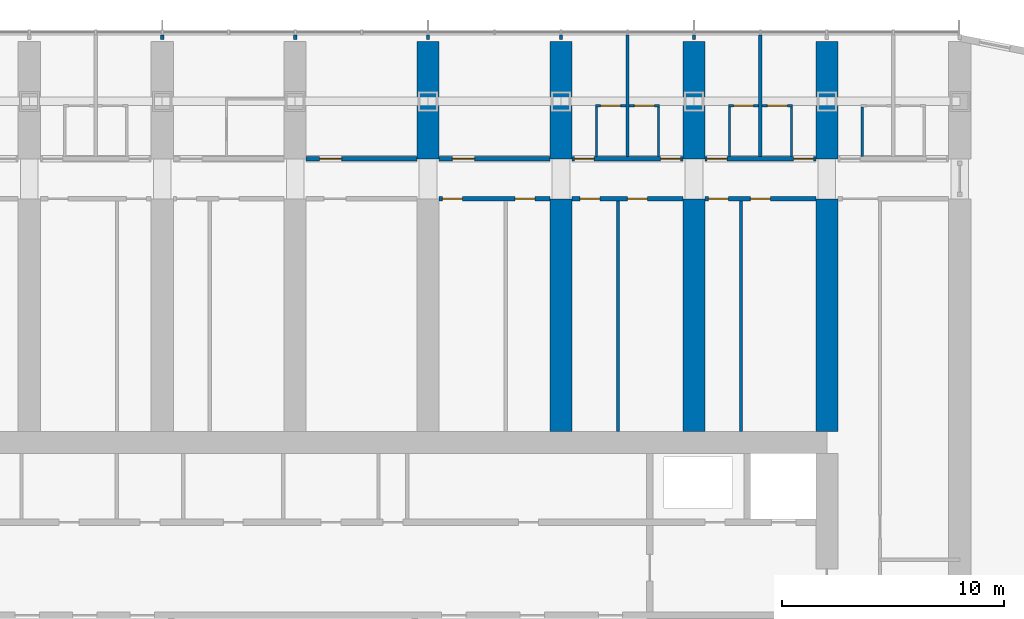
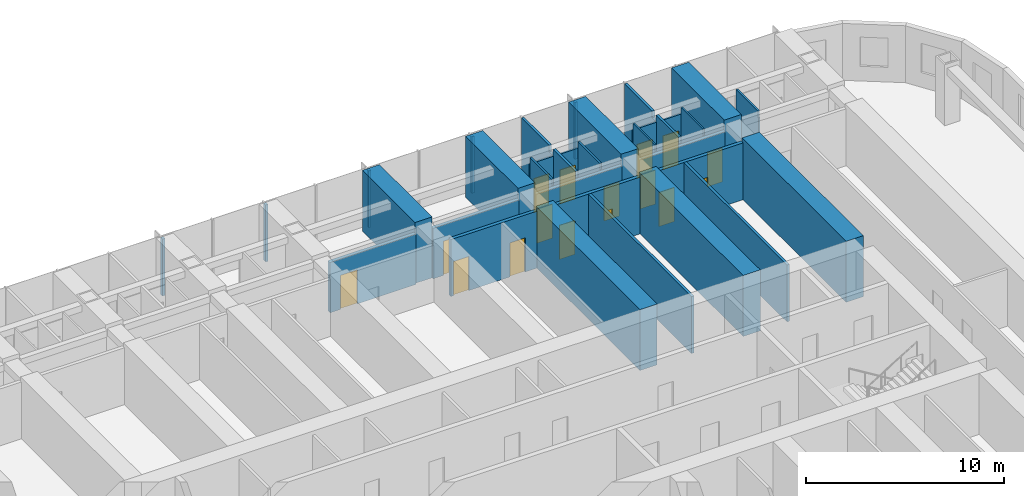
# One storey, part 19 of 28: 32 walls, 16 doors, 16 openings.
"""IFC4 building model written with IfcOpenShell, lengths in metres."""

from ifc_helpers import new_model, si_unit, direction, frame, frame_2d, origin, place, context, subcontext, project, spatial, polyline, rectangle, outline, extrude, material, layer, layer_set, type_object, element, fill, save


model = new_model("IFC4")

# Units and contexts
model_context = context("Model", 3, precision=1e-05, world=origin(), true_north=direction((0.0, 1.0)))
body_context = subcontext(model_context, "Body", "Model", "MODEL_VIEW")
ifc_project = project(units=[si_unit("LENGTHUNIT", "METRE"), si_unit("AREAUNIT", "SQUARE_METRE"), si_unit("VOLUMEUNIT", "CUBIC_METRE"), si_unit("PLANEANGLEUNIT", "RADIAN"), si_unit("MASSUNIT", "GRAM", prefix="KILO")], contexts=[model_context])

# Site, building, storey
site_placement = place(None, origin())
site = spatial("IfcSite", under=ifc_project, at=site_placement, CompositionType="ELEMENT")
building_placement = place(site_placement, origin())
building = spatial("IfcBuilding", under=site, at=building_placement, Name="Orbita Commons", CompositionType="ELEMENT")
storey_placement = place(building_placement, frame((0.0, 0.0, 38.949951171875)))
storey = spatial("IfcBuildingStorey", under=building, at=storey_placement, Name="L09", CompositionType="ELEMENT", Elevation=38.949951171875)

# Wall, opening, door
ifc_material_1 = material(Name="Concrete blockwork", Category="masonry")
ifc_layer_1 = layer(ifc_material_1, 0.199951171875)
ifc_layer_set_1 = layer_set([ifc_layer_1], Name="Concrete blockwork")
wall_type_1 = type_object("IfcWallType", Name="Corridor wall 200 blockwork", PredefinedType="SOLIDWALL", material=ifc_layer_set_1)
wall_1_placement = place(storey_placement, frame((42.5, 51.0, 0.0), z_axis=(0.0, 0.0, 1.0), x_axis=(1.0, 0.0, 0.0)))
wall_1 = element("IfcWall", 1, at=wall_1_placement, inside=storey, type_object=wall_type_1, Name="Corridor wall 200 blockwork L09", PredefinedType="SOLIDWALL", context=body_context, shape_type="SweptSolid", body=[
    extrude(outline(polyline([(0.0, 0.0), (5.0, 0.0), (5.0, 3.10009765625), (0.0, 3.10009765625), (0.0, 0.0)])), frame((0.0, 0.10009765625, 0.0), z_axis=(0.0, -1.0, 0.0), x_axis=(1.0, 0.0, 0.0)), (0.0, 0.0, 1.0), 0.199951171875),
])
opening_1_placement = place(wall_1_placement, frame((0.60009765625, 0.0, 0.0)))
opening_1 = element("IfcOpeningElement", 2, at=opening_1_placement, cuts=wall_1, Name="Opening D06", PredefinedType="OPENING", context=body_context, shape_type="SweptSolid", body=[
    extrude(rectangle(XDim=1.0, YDim=2.10009765625, at=frame_2d((0.5, 1.050048828125))), frame((0.0, 0.10986328125, 0.0), z_axis=(0.0, -1.0, 0.0), x_axis=(1.0, 0.0, 0.0)), (0.0, 0.0, 1.0), 0.219970703125),
])
ifc_material_2 = material(Name="Steel-faced fire door leaf", Category="steel")
door_type_1 = type_object("IfcDoorType", Name="Corridor door 20 min 1000x2100", OperationType="SINGLE_SWING_LEFT", PredefinedType="DOOR", material=ifc_material_2)
door_1_placement = place(opening_1_placement, origin())
door_1 = element("IfcDoor", 3, at=door_1_placement, inside=storey, type_object=door_type_1, Name="House common room L09-N10 door", OperationType="SINGLE_SWING_LEFT", OverallHeight=2.10009765625, OverallWidth=1.0, PredefinedType="DOOR", context=body_context, shape_type="SweptSolid", body=[
    extrude(rectangle(XDim=1.0, YDim=2.10009765625, at=frame_2d((0.5, 1.050048828125))), frame((0.0, 0.02490234375, 0.0), z_axis=(0.0, -1.0, 0.0), x_axis=(1.0, 0.0, 0.0)), (0.0, 0.0, 1.0), 0.050048828125),
])
fill(opening_1, door_1)

wall_2_placement = place(storey_placement, frame((48.5, 51.0, 0.0), z_axis=(0.0, 0.0, 1.0), x_axis=(1.0, 0.0, 0.0)))
wall_2 = element("IfcWall", 4, at=wall_2_placement, inside=storey, type_object=wall_type_1, Name="Corridor wall 200 blockwork L09", PredefinedType="SOLIDWALL", context=body_context, shape_type="SweptSolid", body=[
    extrude(outline(polyline([(0.0, 0.0), (5.0, 0.0), (5.0, 3.10009765625), (0.0, 3.10009765625), (0.0, 0.0)])), frame((0.0, 0.10009765625, 0.0), z_axis=(0.0, -1.0, 0.0), x_axis=(1.0, 0.0, 0.0)), (0.0, 0.0, 1.0), 0.199951171875),
])
opening_2_placement = place(wall_2_placement, frame((0.60009765625, 0.0, 0.0)))
opening_2 = element("IfcOpeningElement", 5, at=opening_2_placement, cuts=wall_2, Name="Opening D06", PredefinedType="OPENING", context=body_context, shape_type="SweptSolid", body=[
    extrude(rectangle(XDim=1.0, YDim=2.10009765625, at=frame_2d((0.5, 1.050048828125))), frame((0.0, 0.10986328125, 0.0), z_axis=(0.0, -1.0, 0.0), x_axis=(1.0, 0.0, 0.0)), (0.0, 0.0, 1.0), 0.219970703125),
])
door_2_placement = place(opening_2_placement, origin())
door_2 = element("IfcDoor", 6, at=door_2_placement, inside=storey, type_object=door_type_1, Name="House kitchen-diner L09-N12 door", OperationType="SINGLE_SWING_LEFT", OverallHeight=2.10009765625, OverallWidth=1.0, PredefinedType="DOOR", context=body_context, shape_type="SweptSolid", body=[
    extrude(rectangle(XDim=1.0, YDim=2.10009765625, at=frame_2d((0.5, 1.050048828125))), frame((0.0, 0.02490234375, 0.0), z_axis=(0.0, -1.0, 0.0), x_axis=(1.0, 0.0, 0.0)), (0.0, 0.0, 1.0), 0.050048828125),
])
fill(opening_2, door_2)

# Wall, openings, doors
wall_3_placement = place(storey_placement, frame((54.5, 51.0, 0.0), z_axis=(0.0, 0.0, 1.0), x_axis=(1.0, 0.0, 0.0)))
wall_3 = element("IfcWall", 7, at=wall_3_placement, inside=storey, type_object=wall_type_1, Name="Corridor wall 200 blockwork L09", PredefinedType="SOLIDWALL", context=body_context, shape_type="SweptSolid", body=[
    extrude(outline(polyline([(0.0, 0.0), (5.0, 0.0), (5.0, 3.10009765625), (0.0, 3.10009765625), (0.0, 0.0)])), frame((0.0, 0.10009765625, 0.0), z_axis=(0.0, -1.0, 0.0), x_axis=(1.0, 0.0, 0.0)), (0.0, 0.0, 1.0), 0.199951171875),
])
opening_3_placement = place(wall_3_placement, frame((0.10009765625, 0.0, 0.0)))
opening_3 = element("IfcOpeningElement", 8, at=opening_3_placement, cuts=wall_3, Name="Opening D11", PredefinedType="OPENING", context=body_context, shape_type="SweptSolid", body=[
    extrude(rectangle(XDim=0.89990234375, YDim=2.10009765625, at=frame_2d((0.449951171875, 1.050048828125))), frame((0.0, 0.10986328125, 0.0), z_axis=(0.0, -1.0, 0.0), x_axis=(1.0, 0.0, 0.0)), (0.0, 0.0, 1.0), 0.219970703125),
])
opening_4_placement = place(wall_3_placement, frame((4.0, 0.0, 0.0)))
opening_4 = element("IfcOpeningElement", 9, at=opening_4_placement, cuts=wall_3, Name="Opening D11", PredefinedType="OPENING", context=body_context, shape_type="SweptSolid", body=[
    extrude(rectangle(XDim=0.89990234375, YDim=2.10009765625, at=frame_2d((0.449951171875, 1.050048828125))), frame((0.0, 0.10986328125, 0.0), z_axis=(0.0, -1.0, 0.0), x_axis=(1.0, 0.0, 0.0)), (0.0, 0.0, 1.0), 0.219970703125),
])
ifc_material_3 = material(Name="Steel-faced fire door leaf", Category="steel")
door_type_2 = type_object("IfcDoorType", Name="Corridor door 20 min 900x2100", OperationType="SINGLE_SWING_LEFT", PredefinedType="DOOR", material=ifc_material_3)
door_3_placement = place(opening_3_placement, origin())
door_3 = element("IfcDoor", 10, at=door_3_placement, inside=storey, type_object=door_type_2, Name="House bedroom L09-N14 door", OperationType="SINGLE_SWING_LEFT", OverallHeight=2.10009765625, OverallWidth=0.89990234375, PredefinedType="DOOR", context=body_context, shape_type="SweptSolid", body=[
    extrude(rectangle(XDim=0.89990234375, YDim=2.10009765625, at=frame_2d((0.449951171875, 1.050048828125))), frame((0.0, 0.02490234375, 0.0), z_axis=(0.0, -1.0, 0.0), x_axis=(1.0, 0.0, 0.0)), (0.0, 0.0, 1.0), 0.050048828125),
])
fill(opening_3, door_3)
door_4_placement = place(opening_4_placement, origin())
door_4 = element("IfcDoor", 11, at=door_4_placement, inside=storey, type_object=door_type_2, Name="House bedroom L09-N15 door", OperationType="SINGLE_SWING_LEFT", OverallHeight=2.10009765625, OverallWidth=0.89990234375, PredefinedType="DOOR", context=body_context, shape_type="SweptSolid", body=[
    extrude(rectangle(XDim=0.89990234375, YDim=2.10009765625, at=frame_2d((0.449951171875, 1.050048828125))), frame((0.0, 0.02490234375, 0.0), z_axis=(0.0, -1.0, 0.0), x_axis=(1.0, 0.0, 0.0)), (0.0, 0.0, 1.0), 0.050048828125),
])
fill(opening_4, door_4)

wall_4_placement = place(storey_placement, frame((60.5, 51.0, 0.0), z_axis=(0.0, 0.0, 1.0), x_axis=(1.0, 0.0, 0.0)))
wall_4 = element("IfcWall", 12, at=wall_4_placement, inside=storey, type_object=wall_type_1, Name="Corridor wall 200 blockwork L09", PredefinedType="SOLIDWALL", context=body_context, shape_type="SweptSolid", body=[
    extrude(outline(polyline([(0.0, 0.0), (5.0, 0.0), (5.0, 3.10009765625), (0.0, 3.10009765625), (0.0, 0.0)])), frame((0.0, 0.10009765625, 0.0), z_axis=(0.0, -1.0, 0.0), x_axis=(1.0, 0.0, 0.0)), (0.0, 0.0, 1.0), 0.199951171875),
])
opening_5_placement = place(wall_4_placement, frame((0.10009765625, 0.0, 0.0)))
opening_5 = element("IfcOpeningElement", 13, at=opening_5_placement, cuts=wall_4, Name="Opening D11", PredefinedType="OPENING", context=body_context, shape_type="SweptSolid", body=[
    extrude(rectangle(XDim=0.89990234375, YDim=2.10009765625, at=frame_2d((0.449951171875, 1.050048828125))), frame((0.0, 0.10986328125, 0.0), z_axis=(0.0, -1.0, 0.0), x_axis=(1.0, 0.0, 0.0)), (0.0, 0.0, 1.0), 0.219970703125),
])
opening_6_placement = place(wall_4_placement, frame((4.0, 0.0, 0.0)))
opening_6 = element("IfcOpeningElement", 14, at=opening_6_placement, cuts=wall_4, Name="Opening D11", PredefinedType="OPENING", context=body_context, shape_type="SweptSolid", body=[
    extrude(rectangle(XDim=0.89990234375, YDim=2.10009765625, at=frame_2d((0.449951171875, 1.050048828125))), frame((0.0, 0.10986328125, 0.0), z_axis=(0.0, -1.0, 0.0), x_axis=(1.0, 0.0, 0.0)), (0.0, 0.0, 1.0), 0.219970703125),
])
door_5_placement = place(opening_5_placement, origin())
door_5 = element("IfcDoor", 15, at=door_5_placement, inside=storey, type_object=door_type_2, Name="House bedroom L09-N16 door", OperationType="SINGLE_SWING_LEFT", OverallHeight=2.10009765625, OverallWidth=0.89990234375, PredefinedType="DOOR", context=body_context, shape_type="SweptSolid", body=[
    extrude(rectangle(XDim=0.89990234375, YDim=2.10009765625, at=frame_2d((0.449951171875, 1.050048828125))), frame((0.0, 0.02490234375, 0.0), z_axis=(0.0, -1.0, 0.0), x_axis=(1.0, 0.0, 0.0)), (0.0, 0.0, 1.0), 0.050048828125),
])
fill(opening_5, door_5)
door_6_placement = place(opening_6_placement, origin())
door_6 = element("IfcDoor", 16, at=door_6_placement, inside=storey, type_object=door_type_2, Name="House bedroom L09-N17 door", OperationType="SINGLE_SWING_LEFT", OverallHeight=2.10009765625, OverallWidth=0.89990234375, PredefinedType="DOOR", context=body_context, shape_type="SweptSolid", body=[
    extrude(rectangle(XDim=0.89990234375, YDim=2.10009765625, at=frame_2d((0.449951171875, 1.050048828125))), frame((0.0, 0.02490234375, 0.0), z_axis=(0.0, -1.0, 0.0), x_axis=(1.0, 0.0, 0.0)), (0.0, 0.0, 1.0), 0.050048828125),
])
fill(opening_6, door_6)

ifc_material_4 = material(Name="Hollow concrete block 200", Category="concrete")
ifc_layer_2 = layer(ifc_material_4, 0.199951171875)
ifc_layer_set_2 = layer_set([ifc_layer_2], Name="Hollow concrete block 200")
wall_type_2 = type_object("IfcWallType", Name="Corridor wall 200 hollow concrete block", PredefinedType="SOLIDWALL", material=ifc_layer_set_2)
wall_5_placement = place(storey_placement, frame((48.5, 49.199951171875, 0.0), z_axis=(0.0, 0.0, 1.0), x_axis=(1.0, 0.0, 0.0)))
wall_5 = element("IfcWall", 17, at=wall_5_placement, inside=storey, type_object=wall_type_2, Name="Corridor wall 200 hollow concrete block L09", PredefinedType="SOLIDWALL", context=body_context, shape_type="SweptSolid", body=[
    extrude(rectangle(XDim=5.0, YDim=0.199951171875, at=frame_2d((2.5, 0.0))), origin(), (0.0, 0.0, 1.0), 3.5),
])
opening_7_placement = place(wall_5_placement, frame((0.14990234375, 0.0, 0.0)))
opening_7 = element("IfcOpeningElement", 18, at=opening_7_placement, cuts=wall_5, Name="Opening D11", PredefinedType="OPENING", context=body_context, shape_type="SweptSolid", body=[
    extrude(rectangle(XDim=0.89990234375, YDim=2.10009765625, at=frame_2d((0.449951171875, 1.050048828125))), frame((0.0, 0.10986328125, 0.0), z_axis=(0.0, -1.0, 0.0), x_axis=(1.0, 0.0, 0.0)), (0.0, 0.0, 1.0), 0.219970703125),
])
opening_8_placement = place(wall_5_placement, frame((3.425048828125, 0.0, 0.0)))
opening_8 = element("IfcOpeningElement", 19, at=opening_8_placement, cuts=wall_5, Name="Opening D11", PredefinedType="OPENING", context=body_context, shape_type="SweptSolid", body=[
    extrude(rectangle(XDim=0.89990234375, YDim=2.10009765625, at=frame_2d((0.449951171875, 1.050048828125))), frame((0.0, 0.10986328125, 0.0), z_axis=(0.0, -1.0, 0.0), x_axis=(1.0, 0.0, 0.0)), (0.0, 0.0, 1.0), 0.219970703125),
])
door_7_placement = place(opening_7_placement, origin())
door_7 = element("IfcDoor", 20, at=door_7_placement, inside=storey, type_object=door_type_2, Name="Drying room L09-BDN48 door", OperationType="SINGLE_SWING_LEFT", OverallHeight=2.10009765625, OverallWidth=0.89990234375, PredefinedType="DOOR", context=body_context, shape_type="SweptSolid", body=[
    extrude(rectangle(XDim=0.89990234375, YDim=2.10009765625, at=frame_2d((0.449951171875, 1.050048828125))), frame((0.0, 0.02490234375, 0.0), z_axis=(0.0, -1.0, 0.0), x_axis=(1.0, 0.0, 0.0)), (0.0, 0.0, 1.0), 0.050048828125),
])
fill(opening_7, door_7)
door_8_placement = place(opening_8_placement, origin())
door_8 = element("IfcDoor", 21, at=door_8_placement, inside=storey, type_object=door_type_2, Name="Water heater cupboard L09-BDN48n door", OperationType="SINGLE_SWING_LEFT", OverallHeight=2.10009765625, OverallWidth=0.89990234375, PredefinedType="DOOR", context=body_context, shape_type="SweptSolid", body=[
    extrude(rectangle(XDim=0.89990234375, YDim=2.10009765625, at=frame_2d((0.449951171875, 1.050048828125))), frame((0.0, 0.02490234375, 0.0), z_axis=(0.0, -1.0, 0.0), x_axis=(1.0, 0.0, 0.0)), (0.0, 0.0, 1.0), 0.050048828125),
])
fill(opening_8, door_8)

wall_6_placement = place(storey_placement, frame((54.5, 49.199951171875, 0.0), z_axis=(0.0, 0.0, 1.0), x_axis=(1.0, 0.0, 0.0)))
wall_6 = element("IfcWall", 22, at=wall_6_placement, inside=storey, type_object=wall_type_2, Name="Corridor wall 200 hollow concrete block L09", PredefinedType="SOLIDWALL", context=body_context, shape_type="SweptSolid", body=[
    extrude(rectangle(XDim=5.0, YDim=0.199951171875, at=frame_2d((2.5, 0.0))), origin(), (0.0, 0.0, 1.0), 3.5),
])
opening_9_placement = place(wall_6_placement, frame((0.35009765625, 0.0, 0.0)))
opening_9 = element("IfcOpeningElement", 23, at=opening_9_placement, cuts=wall_6, Name="Opening D11", PredefinedType="OPENING", context=body_context, shape_type="SweptSolid", body=[
    extrude(rectangle(XDim=0.89990234375, YDim=2.10009765625, at=frame_2d((0.449951171875, 1.050048828125))), frame((0.0, 0.10986328125, 0.0), z_axis=(0.0, -1.0, 0.0), x_axis=(1.0, 0.0, 0.0)), (0.0, 0.0, 1.0), 0.219970703125),
])
opening_10_placement = place(wall_6_placement, frame((2.4951171875, 0.0, 0.0)))
opening_10 = element("IfcOpeningElement", 24, at=opening_10_placement, cuts=wall_6, Name="Opening D11", PredefinedType="OPENING", context=body_context, shape_type="SweptSolid", body=[
    extrude(rectangle(XDim=0.89990234375, YDim=2.10009765625, at=frame_2d((0.449951171875, 1.050048828125))), frame((0.0, 0.10986328125, 0.0), z_axis=(0.0, -1.0, 0.0), x_axis=(1.0, 0.0, 0.0)), (0.0, 0.0, 1.0), 0.219970703125),
])
door_9_placement = place(opening_9_placement, origin())
door_9 = element("IfcDoor", 25, at=door_9_placement, inside=storey, type_object=door_type_2, Name="Battery and UPS room L09-BDN54n door", OperationType="SINGLE_SWING_LEFT", OverallHeight=2.10009765625, OverallWidth=0.89990234375, PredefinedType="DOOR", context=body_context, shape_type="SweptSolid", body=[
    extrude(rectangle(XDim=0.89990234375, YDim=2.10009765625, at=frame_2d((0.449951171875, 1.050048828125))), frame((0.0, 0.02490234375, 0.0), z_axis=(0.0, -1.0, 0.0), x_axis=(1.0, 0.0, 0.0)), (0.0, 0.0, 1.0), 0.050048828125),
])
fill(opening_9, door_9)
door_10_placement = place(opening_10_placement, origin())
door_10 = element("IfcDoor", 26, at=door_10_placement, inside=storey, type_object=door_type_2, Name="Linen store L09-BDN54 door", OperationType="SINGLE_SWING_LEFT", OverallHeight=2.10009765625, OverallWidth=0.89990234375, PredefinedType="DOOR", context=body_context, shape_type="SweptSolid", body=[
    extrude(rectangle(XDim=0.89990234375, YDim=2.10009765625, at=frame_2d((0.449951171875, 1.050048828125))), frame((0.0, 0.02490234375, 0.0), z_axis=(0.0, -1.0, 0.0), x_axis=(1.0, 0.0, 0.0)), (0.0, 0.0, 1.0), 0.050048828125),
])
fill(opening_10, door_10)

wall_7_placement = place(storey_placement, frame((60.5, 49.199951171875, 0.0), z_axis=(0.0, 0.0, 1.0), x_axis=(1.0, 0.0, 0.0)))
wall_7 = element("IfcWall", 27, at=wall_7_placement, inside=storey, type_object=wall_type_2, Name="Corridor wall 200 hollow concrete block L09", PredefinedType="SOLIDWALL", context=body_context, shape_type="SweptSolid", body=[
    extrude(rectangle(XDim=5.0, YDim=0.199951171875, at=frame_2d((2.5, 0.0))), origin(), (0.0, 0.0, 1.0), 3.5),
])
opening_11_placement = place(wall_7_placement, frame((0.14990234375, 0.0, 0.0)))
opening_11 = element("IfcOpeningElement", 28, at=opening_11_placement, cuts=wall_7, Name="Opening D11", PredefinedType="OPENING", context=body_context, shape_type="SweptSolid", body=[
    extrude(rectangle(XDim=0.89990234375, YDim=2.10009765625, at=frame_2d((0.449951171875, 1.050048828125))), frame((0.0, 0.10986328125, 0.0), z_axis=(0.0, -1.0, 0.0), x_axis=(1.0, 0.0, 0.0)), (0.0, 0.0, 1.0), 0.219970703125),
])
opening_12_placement = place(wall_7_placement, frame((2.050048828125, 0.0, 0.0)))
opening_12 = element("IfcOpeningElement", 29, at=opening_12_placement, cuts=wall_7, Name="Opening D11", PredefinedType="OPENING", context=body_context, shape_type="SweptSolid", body=[
    extrude(rectangle(XDim=0.89990234375, YDim=2.10009765625, at=frame_2d((0.449951171875, 1.050048828125))), frame((0.0, 0.10986328125, 0.0), z_axis=(0.0, -1.0, 0.0), x_axis=(1.0, 0.0, 0.0)), (0.0, 0.0, 1.0), 0.219970703125),
])
door_11_placement = place(opening_11_placement, origin())
door_11 = element("IfcDoor", 30, at=door_11_placement, inside=storey, type_object=door_type_2, Name="Sprinkler valve room L09-BDN60n door", OperationType="SINGLE_SWING_LEFT", OverallHeight=2.10009765625, OverallWidth=0.89990234375, PredefinedType="DOOR", context=body_context, shape_type="SweptSolid", body=[
    extrude(rectangle(XDim=0.89990234375, YDim=2.10009765625, at=frame_2d((0.449951171875, 1.050048828125))), frame((0.0, 0.02490234375, 0.0), z_axis=(0.0, -1.0, 0.0), x_axis=(1.0, 0.0, 0.0)), (0.0, 0.0, 1.0), 0.050048828125),
])
fill(opening_11, door_11)
door_12_placement = place(opening_12_placement, origin())
door_12 = element("IfcDoor", 31, at=door_12_placement, inside=storey, type_object=door_type_2, Name="Pantry L09-BDN60 door", OperationType="SINGLE_SWING_LEFT", OverallHeight=2.10009765625, OverallWidth=0.89990234375, PredefinedType="DOOR", context=body_context, shape_type="SweptSolid", body=[
    extrude(rectangle(XDim=0.89990234375, YDim=2.10009765625, at=frame_2d((0.449951171875, 1.050048828125))), frame((0.0, 0.02490234375, 0.0), z_axis=(0.0, -1.0, 0.0), x_axis=(1.0, 0.0, 0.0)), (0.0, 0.0, 1.0), 0.050048828125),
])
fill(opening_12, door_12)

# Walls
ifc_material_5 = material(Name="Concrete C50/60", Category="concrete")
ifc_layer_3 = layer(ifc_material_5, 1.0)
ifc_layer_set_3 = layer_set([ifc_layer_3], Name="Concrete C50/60")
wall_type_3 = type_object("IfcWallType", Name="Cross wall 1000 C50/60", PredefinedType="SHEAR", material=ifc_layer_set_3)
for number, where, z_axis, x_axis, name in (
    (32, (48.0, 51.0, 0.0), (0.0, 0.0, 1.0), (0.0, 1.0, 0.0), "Cross wall 9 north outer L09"),
    (33, (54.0, 51.0, 0.0), (0.0, 0.0, 1.0), (0.0, 1.0, 0.0), "Cross wall 10 north outer L09"),
):
    element("IfcWall", number, at=place(storey_placement, frame(where, z_axis=z_axis, x_axis=x_axis)), inside=storey, type_object=wall_type_3, Name=name, PredefinedType="SHEAR", context=body_context, shape_type="SweptSolid", body=[
        extrude(rectangle(XDim=5.300048828125, YDim=1.0, at=frame_2d((2.64990234375, 0.0))), origin(), (0.0, 0.0, 1.0), 3.75),
    ])
wall_8_placement = place(storey_placement, frame((54.0, 38.699951171875, 0.0), z_axis=(0.0, 0.0, 1.0), x_axis=(0.0, 1.0, 0.0)))
element("IfcWall", 34, at=wall_8_placement, inside=storey, type_object=wall_type_3, Name="Cross wall 10 north inner L09", PredefinedType="SHEAR", context=body_context, shape_type="SweptSolid", body=[
    extrude(rectangle(XDim=10.5, YDim=1.0, at=frame_2d((5.25, 0.0))), origin(), (0.0, 0.0, 1.0), 3.75),
])
wall_9_placement = place(storey_placement, frame((60.0, 51.0, 0.0), z_axis=(0.0, 0.0, 1.0), x_axis=(0.0, 1.0, 0.0)))
element("IfcWall", 35, at=wall_9_placement, inside=storey, type_object=wall_type_3, Name="Cross wall 11 north outer L09", PredefinedType="SHEAR", context=body_context, shape_type="SweptSolid", body=[
    extrude(rectangle(XDim=5.300048828125, YDim=1.0, at=frame_2d((2.64990234375, 0.0))), origin(), (0.0, 0.0, 1.0), 3.75),
])
wall_10_placement = place(storey_placement, frame((60.0, 38.699951171875, 0.0), z_axis=(0.0, 0.0, 1.0), x_axis=(0.0, 1.0, 0.0)))
element("IfcWall", 36, at=wall_10_placement, inside=storey, type_object=wall_type_3, Name="Cross wall 11 north inner L09", PredefinedType="SHEAR", context=body_context, shape_type="SweptSolid", body=[
    extrude(rectangle(XDim=10.5, YDim=1.0, at=frame_2d((5.25, 0.0))), origin(), (0.0, 0.0, 1.0), 3.75),
])
wall_11_placement = place(storey_placement, frame((66.0, 51.0, 0.0), z_axis=(0.0, 0.0, 1.0), x_axis=(0.0, 1.0, 0.0)))
element("IfcWall", 37, at=wall_11_placement, inside=storey, type_object=wall_type_3, Name="Cross wall 12 north outer L09", PredefinedType="SHEAR", context=body_context, shape_type="SweptSolid", body=[
    extrude(rectangle(XDim=5.300048828125, YDim=1.0, at=frame_2d((2.64990234375, 0.0))), origin(), (0.0, 0.0, 1.0), 3.75),
])
wall_12_placement = place(storey_placement, frame((66.0, 38.699951171875, 0.0), z_axis=(0.0, 0.0, 1.0), x_axis=(0.0, 1.0, 0.0)))
element("IfcWall", 38, at=wall_12_placement, inside=storey, type_object=wall_type_3, Name="Cross wall 12 north inner L09", PredefinedType="SHEAR", context=body_context, shape_type="SweptSolid", body=[
    extrude(rectangle(XDim=10.5, YDim=1.0, at=frame_2d((5.25, 0.0))), origin(), (0.0, 0.0, 1.0), 3.75),
])

# Wall, opening, door
ifc_material_6 = material(Name="Moisture-resistant plasterboard on steel studs", Category="steel")
ifc_layer_4 = layer(ifc_material_6, 0.10009765625)
ifc_layer_set_4 = layer_set([ifc_layer_4], Name="Moisture-resistant plasterboard on steel studs")
wall_type_4 = type_object("IfcWallType", Name="En-suite partition 100", PredefinedType="PARTITIONING", material=ifc_layer_set_4)
wall_13_placement = place(storey_placement, frame((55.550048828125, 53.40185546875, 0.0), z_axis=(0.0, 0.0, 1.0), x_axis=(1.0, 0.0, 0.0)))
wall_13 = element("IfcWall", 39, at=wall_13_placement, inside=storey, type_object=wall_type_4, Name="En-suite partition 100 L09", PredefinedType="PARTITIONING", context=body_context, shape_type="SweptSolid", body=[
    extrude(outline(polyline([(0.0, 0.0), (1.375, 0.0), (1.375, 3.10009765625), (0.0, 3.10009765625), (0.0, 0.0)])), frame((0.0, 0.050048828125, 0.0), z_axis=(0.0, -1.0, 0.0), x_axis=(1.0, 0.0, 0.0)), (0.0, 0.0, 1.0), 0.10009765625),
])
opening_13_placement = place(wall_13_placement, frame((0.237548828125, 0.0, 0.0)))
opening_13 = element("IfcOpeningElement", 40, at=opening_13_placement, cuts=wall_13, Name="Opening D09", PredefinedType="OPENING", context=body_context, shape_type="SweptSolid", body=[
    extrude(rectangle(XDim=0.89990234375, YDim=2.10009765625, at=frame_2d((0.449951171875, 1.050048828125))), frame((0.0, 0.06005859375, 0.0), z_axis=(0.0, -1.0, 0.0), x_axis=(1.0, 0.0, 0.0)), (0.0, 0.0, 1.0), 0.1201171875),
])
ifc_material_7 = material(Name="Laminated timber door leaf", Category="wood")
door_type_3 = type_object("IfcDoorType", Name="En-suite door 900x2100", OperationType="SINGLE_SWING_RIGHT", PredefinedType="DOOR", material=ifc_material_7)
door_13_placement = place(opening_13_placement, origin())
door_13 = element("IfcDoor", 41, at=door_13_placement, inside=storey, type_object=door_type_3, Name="En-suite L09-N14 door", OperationType="SINGLE_SWING_RIGHT", OverallHeight=2.10009765625, OverallWidth=0.89990234375, PredefinedType="DOOR", context=body_context, shape_type="SweptSolid", body=[
    extrude(rectangle(XDim=0.89990234375, YDim=2.10009765625, at=frame_2d((0.449951171875, 1.050048828125))), frame((0.0, 0.02490234375, 0.0), z_axis=(0.0, -1.0, 0.0), x_axis=(1.0, 0.0, 0.0)), (0.0, 0.0, 1.0), 0.050048828125),
])
fill(opening_13, door_13)

# Wall
wall_14_placement = place(storey_placement, frame((55.60009765625, 53.351806640625, 0.0), z_axis=(0.0, 0.0, 1.0), x_axis=(0.0, -1.0, 0.0)))
element("IfcWall", 42, at=wall_14_placement, inside=storey, type_object=wall_type_4, Name="En-suite partition 100 L09", PredefinedType="PARTITIONING", context=body_context, shape_type="SweptSolid", body=[
    extrude(outline(polyline([(0.0, 0.0), (2.251708984375, 0.0), (2.251953125, 3.10009765625), (2.203857421875, 3.10009765625), (2.201904296875, 3.5), (0.0, 3.5), (0.0, 0.0)])), frame((0.0, 0.050048828125, 0.0), z_axis=(0.0, -1.0, 0.0), x_axis=(1.0, 0.0, 0.0)), (0.0, 0.0, 1.0), 0.10009765625),
])

# Wall, opening, door
wall_15_placement = place(storey_placement, frame((57.074951171875, 53.40185546875, 0.0), z_axis=(0.0, 0.0, 1.0), x_axis=(1.0, 0.0, 0.0)))
wall_15 = element("IfcWall", 43, at=wall_15_placement, inside=storey, type_object=wall_type_4, Name="En-suite partition 100 L09", PredefinedType="PARTITIONING", context=body_context, shape_type="SweptSolid", body=[
    extrude(outline(polyline([(0.0, 0.0), (1.375, 0.0), (1.375, 3.10009765625), (0.0, 3.10009765625), (0.0, 0.0)])), frame((0.0, 0.050048828125, 0.0), z_axis=(0.0, -1.0, 0.0), x_axis=(1.0, 0.0, 0.0)), (0.0, 0.0, 1.0), 0.10009765625),
])
opening_14_placement = place(wall_15_placement, frame((0.237548828125, 0.0, 0.0)))
opening_14 = element("IfcOpeningElement", 44, at=opening_14_placement, cuts=wall_15, Name="Opening D09", PredefinedType="OPENING", context=body_context, shape_type="SweptSolid", body=[
    extrude(rectangle(XDim=0.89990234375, YDim=2.10009765625, at=frame_2d((0.449951171875, 1.050048828125))), frame((0.0, 0.06005859375, 0.0), z_axis=(0.0, -1.0, 0.0), x_axis=(1.0, 0.0, 0.0)), (0.0, 0.0, 1.0), 0.1201171875),
])
door_14_placement = place(opening_14_placement, origin())
door_14 = element("IfcDoor", 45, at=door_14_placement, inside=storey, type_object=door_type_3, Name="En-suite L09-N15 door", OperationType="SINGLE_SWING_RIGHT", OverallHeight=2.10009765625, OverallWidth=0.89990234375, PredefinedType="DOOR", context=body_context, shape_type="SweptSolid", body=[
    extrude(rectangle(XDim=0.89990234375, YDim=2.10009765625, at=frame_2d((0.449951171875, 1.050048828125))), frame((0.0, 0.02490234375, 0.0), z_axis=(0.0, -1.0, 0.0), x_axis=(1.0, 0.0, 0.0)), (0.0, 0.0, 1.0), 0.050048828125),
])
fill(opening_14, door_14)

# Wall
wall_16_placement = place(storey_placement, frame((58.39990234375, 53.351806640625, 0.0), z_axis=(0.0, 0.0, 1.0), x_axis=(0.0, -1.0, 0.0)))
element("IfcWall", 46, at=wall_16_placement, inside=storey, type_object=wall_type_4, Name="En-suite partition 100 L09", PredefinedType="PARTITIONING", context=body_context, shape_type="SweptSolid", body=[
    extrude(outline(polyline([(0.0, 0.0), (2.251708984375, 0.0), (2.251953125, 3.10009765625), (2.203857421875, 3.10009765625), (2.201904296875, 3.5), (0.0, 3.5), (0.0, 0.0)])), frame((0.0, 0.050048828125, 0.0), z_axis=(0.0, -1.0, 0.0), x_axis=(1.0, 0.0, 0.0)), (0.0, 0.0, 1.0), 0.10009765625),
])

# Wall, opening, door
wall_17_placement = place(storey_placement, frame((61.550048828125, 53.40185546875, 0.0), z_axis=(0.0, 0.0, 1.0), x_axis=(1.0, 0.0, 0.0)))
wall_17 = element("IfcWall", 47, at=wall_17_placement, inside=storey, type_object=wall_type_4, Name="En-suite partition 100 L09", PredefinedType="PARTITIONING", context=body_context, shape_type="SweptSolid", body=[
    extrude(outline(polyline([(0.0, 0.0), (1.375, 0.0), (1.375, 3.10009765625), (0.0, 3.10009765625), (0.0, 0.0)])), frame((0.0, 0.050048828125, 0.0), z_axis=(0.0, -1.0, 0.0), x_axis=(1.0, 0.0, 0.0)), (0.0, 0.0, 1.0), 0.10009765625),
])
opening_15_placement = place(wall_17_placement, frame((0.237548828125, 0.0, 0.0)))
opening_15 = element("IfcOpeningElement", 48, at=opening_15_placement, cuts=wall_17, Name="Opening D09", PredefinedType="OPENING", context=body_context, shape_type="SweptSolid", body=[
    extrude(rectangle(XDim=0.89990234375, YDim=2.10009765625, at=frame_2d((0.449951171875, 1.050048828125))), frame((0.0, 0.06005859375, 0.0), z_axis=(0.0, -1.0, 0.0), x_axis=(1.0, 0.0, 0.0)), (0.0, 0.0, 1.0), 0.1201171875),
])
door_15_placement = place(opening_15_placement, origin())
door_15 = element("IfcDoor", 49, at=door_15_placement, inside=storey, type_object=door_type_3, Name="En-suite L09-N16 door", OperationType="SINGLE_SWING_RIGHT", OverallHeight=2.10009765625, OverallWidth=0.89990234375, PredefinedType="DOOR", context=body_context, shape_type="SweptSolid", body=[
    extrude(rectangle(XDim=0.89990234375, YDim=2.10009765625, at=frame_2d((0.449951171875, 1.050048828125))), frame((0.0, 0.02490234375, 0.0), z_axis=(0.0, -1.0, 0.0), x_axis=(1.0, 0.0, 0.0)), (0.0, 0.0, 1.0), 0.050048828125),
])
fill(opening_15, door_15)

# Wall
wall_18_placement = place(storey_placement, frame((61.60009765625, 53.351806640625, 0.0), z_axis=(0.0, 0.0, 1.0), x_axis=(0.0, -1.0, 0.0)))
element("IfcWall", 50, at=wall_18_placement, inside=storey, type_object=wall_type_4, Name="En-suite partition 100 L09", PredefinedType="PARTITIONING", context=body_context, shape_type="SweptSolid", body=[
    extrude(outline(polyline([(0.0, 0.0), (2.251708984375, 0.0), (2.251953125, 3.10009765625), (2.203857421875, 3.10009765625), (2.201904296875, 3.5), (0.0, 3.5), (0.0, 0.0)])), frame((0.0, 0.050048828125, 0.0), z_axis=(0.0, -1.0, 0.0), x_axis=(1.0, 0.0, 0.0)), (0.0, 0.0, 1.0), 0.10009765625),
])

# Wall, opening, door
wall_19_placement = place(storey_placement, frame((63.074951171875, 53.40185546875, 0.0), z_axis=(0.0, 0.0, 1.0), x_axis=(1.0, 0.0, 0.0)))
wall_19 = element("IfcWall", 51, at=wall_19_placement, inside=storey, type_object=wall_type_4, Name="En-suite partition 100 L09", PredefinedType="PARTITIONING", context=body_context, shape_type="SweptSolid", body=[
    extrude(outline(polyline([(0.0, 0.0), (1.375, 0.0), (1.375, 3.10009765625), (0.0, 3.10009765625), (0.0, 0.0)])), frame((0.0, 0.050048828125, 0.0), z_axis=(0.0, -1.0, 0.0), x_axis=(1.0, 0.0, 0.0)), (0.0, 0.0, 1.0), 0.10009765625),
])
opening_16_placement = place(wall_19_placement, frame((0.237548828125, 0.0, 0.0)))
opening_16 = element("IfcOpeningElement", 52, at=opening_16_placement, cuts=wall_19, Name="Opening D09", PredefinedType="OPENING", context=body_context, shape_type="SweptSolid", body=[
    extrude(rectangle(XDim=0.89990234375, YDim=2.10009765625, at=frame_2d((0.449951171875, 1.050048828125))), frame((0.0, 0.06005859375, 0.0), z_axis=(0.0, -1.0, 0.0), x_axis=(1.0, 0.0, 0.0)), (0.0, 0.0, 1.0), 0.1201171875),
])
door_16_placement = place(opening_16_placement, origin())
door_16 = element("IfcDoor", 53, at=door_16_placement, inside=storey, type_object=door_type_3, Name="En-suite L09-N17 door", OperationType="SINGLE_SWING_RIGHT", OverallHeight=2.10009765625, OverallWidth=0.89990234375, PredefinedType="DOOR", context=body_context, shape_type="SweptSolid", body=[
    extrude(rectangle(XDim=0.89990234375, YDim=2.10009765625, at=frame_2d((0.449951171875, 1.050048828125))), frame((0.0, 0.02490234375, 0.0), z_axis=(0.0, -1.0, 0.0), x_axis=(1.0, 0.0, 0.0)), (0.0, 0.0, 1.0), 0.050048828125),
])
fill(opening_16, door_16)

# Walls
for number, where, z_axis, x_axis, name in (
    (54, (64.39990234375, 53.351806640625, 0.0), (0.0, 0.0, 1.0), (0.0, -1.0, 0.0), "En-suite partition 100 L09"),
    (55, (67.60009765625, 53.351806640625, 0.0), (0.0, 0.0, 1.0), (0.0, -1.0, 0.0), "En-suite partition 100 L09"),
):
    element("IfcWall", number, at=place(storey_placement, frame(where, z_axis=z_axis, x_axis=x_axis)), inside=storey, type_object=wall_type_4, Name=name, PredefinedType="PARTITIONING", context=body_context, shape_type="SweptSolid", body=[
        extrude(outline(polyline([(0.0, 0.0), (2.251708984375, 0.0), (2.251953125, 3.10009765625), (2.203857421875, 3.10009765625), (2.201904296875, 3.5), (0.0, 3.5), (0.0, 0.0)])), frame((0.0, 0.050048828125, 0.0), z_axis=(0.0, -1.0, 0.0), x_axis=(1.0, 0.0, 0.0)), (0.0, 0.0, 1.0), 0.10009765625),
    ])
ifc_material_8 = material(Name="Gypsum plasterboard on steel studs", Category="steel")
ifc_layer_5 = layer(ifc_material_8, 0.14990234375)
ifc_layer_set_5 = layer_set([ifc_layer_5], Name="Gypsum plasterboard on steel studs")
wall_type_5 = type_object("IfcWallType", Name="Partition 150 plasterboard", PredefinedType="PARTITIONING", material=ifc_layer_set_5)
for number, where, z_axis, x_axis, name in (
    (56, (56.570068359375, 38.699951171875, 0.0), (0.0, 0.0, 1.0), (0.0, 1.0, 0.0), "Partition 150 plasterboard L09"),
    (57, (62.125, 38.699951171875, 0.0), (0.0, 0.0, 1.0), (0.0, 1.0, 0.0), "Partition 150 plasterboard L09"),
):
    element("IfcWall", number, at=place(storey_placement, frame(where, z_axis=z_axis, x_axis=x_axis)), inside=storey, type_object=wall_type_5, Name=name, PredefinedType="PARTITIONING", context=body_context, shape_type="SweptSolid", body=[
        extrude(rectangle(XDim=10.400146484375, YDim=0.14990234375, at=frame_2d((5.2001953125, 0.0))), origin(), (0.0, 0.0, 1.0), 3.5),
    ])
for number, where, z_axis, x_axis, name in (
    (58, (36.0, 56.39990234375, 0.0), (0.0, 0.0, 1.0), (0.0, 1.0, 0.0), "Partition 150 plasterboard L09"),
    (59, (42.0, 56.39990234375, 0.0), (0.0, 0.0, 1.0), (0.0, 1.0, 0.0), "Partition 150 plasterboard L09"),
    (60, (48.0, 56.39990234375, 0.0), (0.0, 0.0, 1.0), (0.0, 1.0, 0.0), "Partition 150 plasterboard L09"),
    (61, (54.0, 56.39990234375, 0.0), (0.0, 0.0, 1.0), (0.0, 1.0, 0.0), "Partition 150 plasterboard L09"),
    (62, (60.0, 56.39990234375, 0.0), (0.0, 0.0, 1.0), (0.0, 1.0, 0.0), "Partition 150 plasterboard L09"),
):
    element("IfcWall", number, at=place(storey_placement, frame(where, z_axis=z_axis, x_axis=x_axis)), inside=storey, type_object=wall_type_5, Name=name, PredefinedType="PARTITIONING", context=body_context, shape_type="SweptSolid", body=[
        extrude(rectangle(XDim=0.190185546875, YDim=0.14990234375, at=frame_2d((0.09521484375, 0.0))), origin(), (0.0, 0.0, 1.0), 3.5),
    ])
ifc_material_9 = material(Name="Gypsum plasterboard on steel studs", Category="steel")
ifc_layer_6 = layer(ifc_material_9, 0.14990234375)
ifc_layer_set_6 = layer_set([ifc_layer_6], Name="Gypsum plasterboard on steel studs")
wall_type_6 = type_object("IfcWallType", Name="Party wall 150 plasterboard", PredefinedType="PARTITIONING", material=ifc_layer_set_6)
for number, where, z_axis, x_axis, name in (
    (63, (57.0, 56.590087890625, 0.0), (0.0, 0.0, 1.0), (0.0, -1.0, 0.0), "Party wall 150 plasterboard L09"),
    (64, (63.0, 56.590087890625, 0.0), (0.0, 0.0, 1.0), (0.0, -1.0, 0.0), "Party wall 150 plasterboard L09"),
):
    element("IfcWall", number, at=place(storey_placement, frame(where, z_axis=z_axis, x_axis=x_axis)), inside=storey, type_object=wall_type_6, Name=name, PredefinedType="PARTITIONING", context=body_context, shape_type="SweptSolid", body=[
        extrude(outline(polyline([(0.0, 0.0), (5.489990234375, 0.0), (5.489990234375, 3.10009765625), (5.44189453125, 3.10009765625), (5.43994140625, 3.5), (3.19189453125, 3.5), (3.18994140625, 3.10009765625), (2.7919921875, 3.10009765625), (2.7900390625, 3.5), (0.0, 3.5), (0.0, 0.0)])), frame((0.0, 0.074951171875, 0.0), z_axis=(0.0, -1.0, 0.0), x_axis=(1.0, 0.0, 0.0)), (0.0, 0.0, 1.0), 0.14990234375),
    ])

save(model, "model.ifc")
